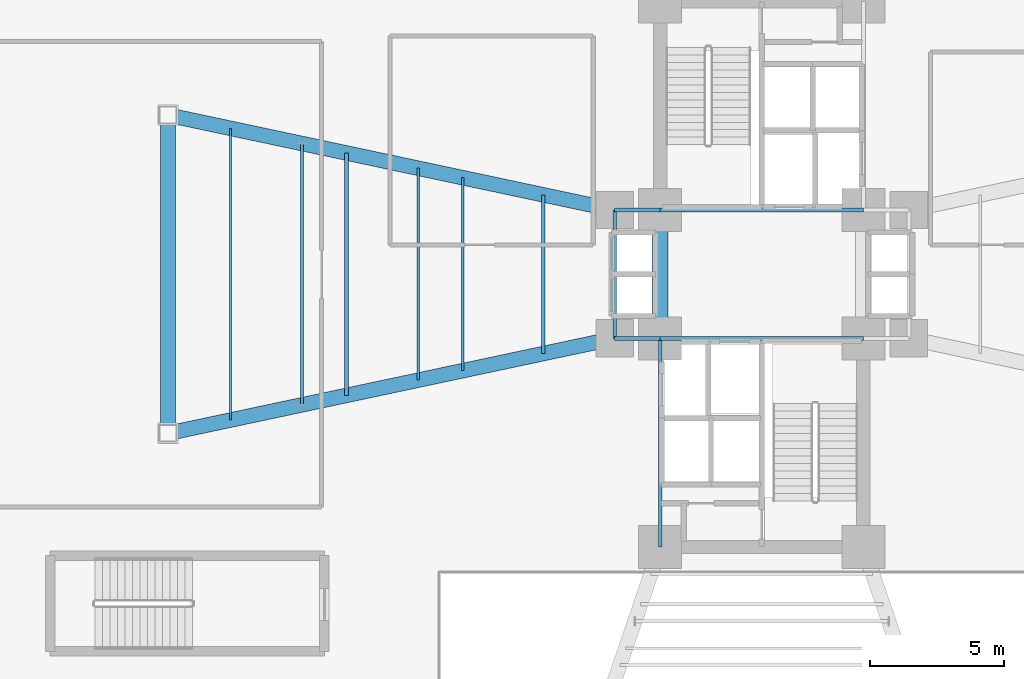
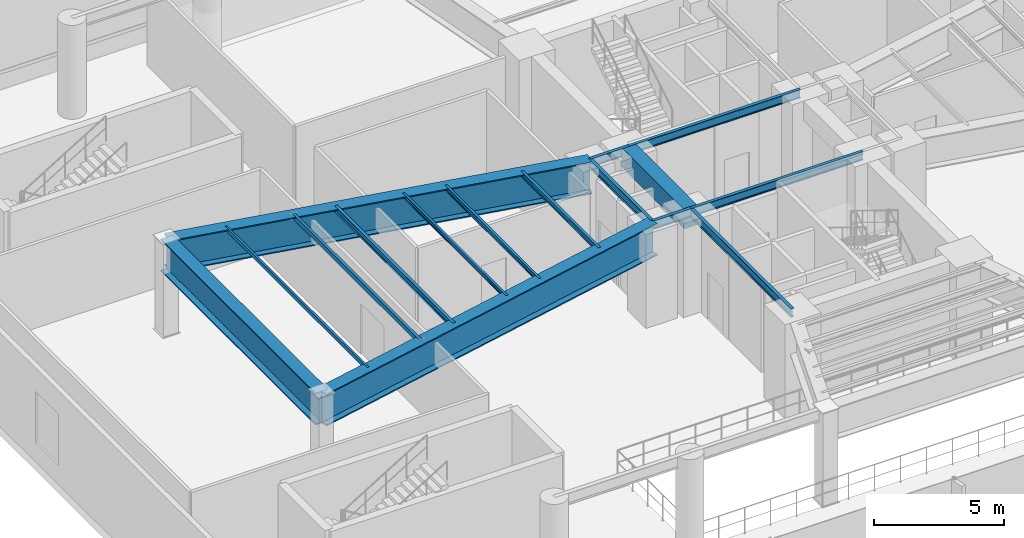
# One storey, part 4 of 22: 16 beams.
"""IFC4 building model written with IfcOpenShell, lengths in metres."""

from ifc_helpers import new_model, si_unit, direction, frame, origin, origin_2d, place, context, subcontext, project, spatial, rectangle, hollow_rectangle, i_section, extrude, source, transform, mapped, material, material_profile, profile_set, type_object, element, save


model = new_model("IFC4")

# Units and contexts
model_context = context("Model", 3, precision=1e-05, world=origin(), true_north=direction((0.0, 1.0)))
body_context = subcontext(model_context, "Body", "Model", "MODEL_VIEW")
ifc_project = project(units=[si_unit("LENGTHUNIT", "METRE"), si_unit("AREAUNIT", "SQUARE_METRE"), si_unit("VOLUMEUNIT", "CUBIC_METRE"), si_unit("PLANEANGLEUNIT", "RADIAN"), si_unit("MASSUNIT", "GRAM", prefix="KILO")], contexts=[model_context])

# Site, building, storey
site_placement = place(None, origin())
site = spatial("IfcSite", under=ifc_project, at=site_placement, CompositionType="ELEMENT")
building_placement = place(site_placement, origin())
building = spatial("IfcBuilding", under=site, at=building_placement, Name="Sahyath Konkavel Grand Hotel", CompositionType="ELEMENT")
storey_placement = place(building_placement, frame((0.0, 0.0, 9.300048828125)))
storey = spatial("IfcBuildingStorey", under=building, at=storey_placement, Name="L02", CompositionType="ELEMENT", Elevation=9.300048828125)

# Beams
ifc_material_1 = material(Name="Concrete C70/85", Category="concrete")
ifc_material_profile_1 = material_profile(ifc_material_1, rectangle(XDim=0.60009765625, YDim=0.89990234375, at=origin_2d()), Name="RC 600x900")
ifc_profile_set_1 = profile_set([ifc_material_profile_1], Name="Concrete C70/85")
beam_type_1 = type_object("IfcBeamType", Name="BM-CB600x900", PredefinedType="LINTEL", material=ifc_profile_set_1)
shared_shape_1 = source(origin(), body_context, "Body", "SweptSolid", [
    extrude(rectangle(XDim=0.60009765625, YDim=0.89990234375, at=origin_2d()), origin(), (0.0, 0.0, 1.0), 4.7998046875),
])
beam_1_placement = place(storey_placement, frame((-3.800048828125, -2.39990234375, 3.949951171875), z_axis=(0.0, 1.0, 0.0), x_axis=(-1.0, 0.0, 0.0)))
element("IfcBeam", 1, at=beam_1_placement, inside=storey, type_object=beam_type_1, Name="L02 Split-Core Coupling Beam West", PredefinedType="LINTEL", context=body_context, shape_type="MappedRepresentation", body=[
    mapped(shared_shape_1, transform((0.0, 0.0, 0.0), scale=1.0)),
])
ifc_material_2 = material(Name="Steel E350", Category="steel")
ifc_material_profile_2 = material_profile(ifc_material_2, i_section(OverallWidth=0.139892578125, OverallDepth=0.39990234375, WebThickness=0.0087890625, FlangeThickness=0.01611328125, FilletRadius=0.013916015625, at=origin_2d()), Name="ISMB 400")
ifc_profile_set_2 = profile_set([ifc_material_profile_2], Name="Steel E350")
beam_type_2 = type_object("IfcBeamType", Name="BM-ISMB400", PredefinedType="BEAM", material=ifc_profile_set_2)
shared_shape_2 = source(origin(), body_context, "Body", "SweptSolid", [
    extrude(i_section(OverallWidth=0.139892578125, OverallDepth=0.39990234375, WebThickness=0.0087890625, FlangeThickness=0.01611328125, FilletRadius=0.013916015625, at=origin_2d()), origin(), (0.0, 0.0, 1.0), 7.60009765625),
])
for number, where, z_axis, x_axis, name in (
    (2, (-3.800048828125, 2.39990234375, 4.199951171875), (1.0, 0.0, 0.0), (0.0, 1.0, 0.0), "str:bm:L02:NC-S"),
    (3, (-3.800048828125, -2.39990234375, 4.199951171875), (1.0, 0.0, 0.0), (0.0, 1.0, 0.0), "str:bm:L02:SC-N"),
):
    element("IfcBeam", number, at=place(storey_placement, frame(where, z_axis=z_axis, x_axis=x_axis)), inside=storey, type_object=beam_type_2, Name=name, PredefinedType="BEAM", context=body_context, shape_type="MappedRepresentation", body=[
        mapped(shared_shape_2, transform((0.0, 0.0, 0.0), scale=1.0)),
    ])
shared_shape_3 = source(origin(), body_context, "Body", "SweptSolid", [
    extrude(i_section(OverallWidth=0.139892578125, OverallDepth=0.39990234375, WebThickness=0.0087890625, FlangeThickness=0.01611328125, FilletRadius=0.013916015625, at=origin_2d()), origin(), (0.0, 0.0, 1.0), 7.800048828125),
])
beam_2_placement = place(storey_placement, frame((-3.800048828125, -10.199951171875, 4.199951171875), z_axis=(0.0, 1.0, 0.0), x_axis=(-1.0, 0.0, 0.0)))
element("IfcBeam", 4, at=beam_2_placement, inside=storey, type_object=beam_type_2, Name="str:bm:L02:SC-W", PredefinedType="BEAM", context=body_context, shape_type="MappedRepresentation", body=[
    mapped(shared_shape_3, transform((0.0, 0.0, 0.0), scale=1.0)),
])
shared_shape_4 = source(origin(), body_context, "Body", "SweptSolid", [
    extrude(i_section(OverallWidth=0.139892578125, OverallDepth=0.39990234375, WebThickness=0.0087890625, FlangeThickness=0.01611328125, FilletRadius=0.013916015625, at=origin_2d()), origin(), (0.0, 0.0, 1.0), 1.699951171875),
])
for number, where, z_axis, x_axis, name in (
    (5, (-5.5, 2.39990234375, 4.199951171875), (1.0, 0.0, 0.0), (0.0, 1.0, 0.0), "str:bm:L02:HB-NW"),
    (6, (-5.5, -2.39990234375, 4.199951171875), (1.0, 0.0, 0.0), (0.0, 1.0, 0.0), "str:bm:L02:HB-SW"),
):
    element("IfcBeam", number, at=place(storey_placement, frame(where, z_axis=z_axis, x_axis=x_axis)), inside=storey, type_object=beam_type_2, Name=name, PredefinedType="BEAM", context=body_context, shape_type="MappedRepresentation", body=[
        mapped(shared_shape_4, transform((0.0, 0.0, 0.0), scale=1.0)),
    ])
shared_shape_5 = source(origin(), body_context, "Body", "SweptSolid", [
    extrude(i_section(OverallWidth=0.139892578125, OverallDepth=0.39990234375, WebThickness=0.0087890625, FlangeThickness=0.01611328125, FilletRadius=0.013916015625, at=origin_2d()), origin(), (0.0, 0.0, 1.0), 4.7998046875),
])
beam_3_placement = place(storey_placement, frame((-5.5, -2.39990234375, 4.199951171875), z_axis=(0.0, 1.0, 0.0), x_axis=(-1.0, 0.0, 0.0)))
element("IfcBeam", 7, at=beam_3_placement, inside=storey, type_object=beam_type_2, Name="str:bm:L02:HB-W", PredefinedType="BEAM", context=body_context, shape_type="MappedRepresentation", body=[
    mapped(shared_shape_5, transform((0.0, 0.0, 0.0), scale=1.0)),
])
ifc_material_3 = material(Name="Steel E450", Category="steel")
ifc_material_profile_3 = material_profile(ifc_material_3, i_section(OverallWidth=0.550048828125, OverallDepth=1.5, WebThickness=0.028076171875, FlangeThickness=0.050048828125, at=origin_2d()), Name="BPG 1500x550")
ifc_profile_set_3 = profile_set([ifc_material_profile_3], Name="Steel E450")
beam_type_3 = type_object("IfcBeamType", Name="BM-BPG1500", PredefinedType="BEAM", material=ifc_profile_set_3)
shared_shape_6 = source(origin(), body_context, "Body", "SweptSolid", [
    extrude(i_section(OverallWidth=0.550048828125, OverallDepth=1.5, WebThickness=0.028076171875, FlangeThickness=0.050048828125, at=origin_2d()), origin(), (0.0, 0.0, 1.0), 17.072998046875),
])
for number, where, z_axis, x_axis, name in (
    (8, (-5.5, 2.39990234375, 3.64990234375), (-0.978143257225, 0.20793212437, 0.0), (-0.20793212437, -0.978143257225, 0.0), "L02 Ballroom E450 Transfer Truss Chord WA"),
    (9, (-5.5, -2.39990234375, 3.64990234375), (-0.978143257225, -0.20793212437, 0.0), (0.20793212437, -0.978143257225, 0.0), "L02 Ballroom E450 Transfer Truss Chord WB"),
):
    element("IfcBeam", number, at=place(storey_placement, frame(where, z_axis=z_axis, x_axis=x_axis)), inside=storey, type_object=beam_type_3, Name=name, PredefinedType="BEAM", context=body_context, shape_type="MappedRepresentation", body=[
        mapped(shared_shape_6, transform((0.0, 0.0, 0.0), scale=1.0)),
    ])
shared_shape_7 = source(origin(), body_context, "Body", "SweptSolid", [
    extrude(i_section(OverallWidth=0.550048828125, OverallDepth=1.5, WebThickness=0.028076171875, FlangeThickness=0.050048828125, at=origin_2d()), origin(), (0.0, 0.0, 1.0), 11.89990234375),
])
beam_4_placement = place(storey_placement, frame((-22.199951171875, 5.949951171875, 3.64990234375), z_axis=(0.0, -1.0, 0.0), x_axis=(1.0, 0.0, 0.0)))
element("IfcBeam", 10, at=beam_4_placement, inside=storey, type_object=beam_type_3, Name="L02 Ballroom E450 Transfer Truss Chord Tie W", PredefinedType="BEAM", context=body_context, shape_type="MappedRepresentation", body=[
    mapped(shared_shape_7, transform((0.0, 0.0, 0.0), scale=1.0)),
])
ifc_material_profile_4 = material_profile(ifc_material_2, i_section(OverallWidth=0.125, OverallDepth=0.25, WebThickness=0.0068359375, FlangeThickness=0.012451171875, FilletRadius=0.012939453125, at=origin_2d()), Name="ISMB 250")
ifc_profile_set_4 = profile_set([ifc_material_profile_4], Name="Steel E350")
beam_type_4 = type_object("IfcBeamType", Name="BM-ISMB250", PredefinedType="BEAM", material=ifc_profile_set_4)
shared_shape_8 = source(origin(), body_context, "Body", "SweptSolid", [
    extrude(i_section(OverallWidth=0.125, OverallDepth=0.25, WebThickness=0.0068359375, FlangeThickness=0.012451171875, FilletRadius=0.012939453125, at=origin_2d()), origin(), (0.0, 0.0, 1.0), 5.93603515625),
])
beam_5_placement = place(storey_placement, frame((-8.172119140625, 2.968017578125, 4.27490234375), z_axis=(0.0, -1.0, 0.0), x_axis=(1.0, 0.0, 0.0)))
element("IfcBeam", 11, at=beam_5_placement, inside=storey, type_object=beam_type_4, Name="L02 Composite Deck Sub-Beam W-1", PredefinedType="BEAM", context=body_context, shape_type="MappedRepresentation", body=[
    mapped(shared_shape_8, transform((0.0, 0.0, 0.0), scale=1.0)),
])
ifc_material_profile_5 = material_profile(ifc_material_2, i_section(OverallWidth=0.110107421875, OverallDepth=0.22509765625, WebThickness=0.006591796875, FlangeThickness=0.01171875, FilletRadius=0.011962890625, at=origin_2d()), Name="ISMB 225")
ifc_profile_set_5 = profile_set([ifc_material_profile_5], Name="Steel E350")
beam_type_5 = type_object("IfcBeamType", Name="BM-ISMB225", PredefinedType="BEAM", material=ifc_profile_set_5)
shared_shape_9 = source(origin(), body_context, "Body", "SweptSolid", [
    extrude(i_section(OverallWidth=0.110107421875, OverallDepth=0.22509765625, WebThickness=0.006591796875, FlangeThickness=0.01171875, FilletRadius=0.011962890625, at=origin_2d()), origin(), (0.0, 0.0, 1.0), 7.2138671875),
])
beam_6_placement = place(storey_placement, frame((-11.177978515625, 3.60693359375, 4.287353515625), z_axis=(0.0, -1.0, 0.0), x_axis=(1.0, 0.0, 0.0)))
element("IfcBeam", 12, at=beam_6_placement, inside=storey, type_object=beam_type_5, Name="L02 Composite Deck Sub-Beam W-2", PredefinedType="BEAM", context=body_context, shape_type="MappedRepresentation", body=[
    mapped(shared_shape_9, transform((0.0, 0.0, 0.0), scale=1.0)),
])
ifc_material_profile_6 = material_profile(ifc_material_2, i_section(OverallWidth=0.10009765625, OverallDepth=0.199951171875, WebThickness=0.005615234375, FlangeThickness=0.0107421875, FilletRadius=0.010986328125, at=origin_2d()), Name="ISMB 200")
ifc_profile_set_6 = profile_set([ifc_material_profile_6], Name="Steel E350")
beam_type_6 = type_object("IfcBeamType", Name="BM-ISMB200", PredefinedType="BEAM", material=ifc_profile_set_6)
shared_shape_10 = source(origin(), body_context, "Body", "SweptSolid", [
    extrude(i_section(OverallWidth=0.10009765625, OverallDepth=0.199951171875, WebThickness=0.005615234375, FlangeThickness=0.0107421875, FilletRadius=0.010986328125, at=origin_2d()), origin(), (0.0, 0.0, 1.0), 7.923828125),
])
beam_7_placement = place(storey_placement, frame((-12.847900390625, 3.9619140625, 4.300048828125), z_axis=(0.0, -1.0, 0.0), x_axis=(1.0, 0.0, 0.0)))
element("IfcBeam", 13, at=beam_7_placement, inside=storey, type_object=beam_type_6, Name="L02 Composite Deck Sub-Beam W-3", PredefinedType="BEAM", context=body_context, shape_type="MappedRepresentation", body=[
    mapped(shared_shape_10, transform((0.0, 0.0, 0.0), scale=1.0)),
])
ifc_material_profile_7 = material_profile(ifc_material_2, i_section(OverallWidth=0.139892578125, OverallDepth=0.27490234375, WebThickness=0.00634765625, FlangeThickness=0.0087890625, FilletRadius=0.012939453125, at=origin_2d()), Name="ISLB 275")
ifc_profile_set_7 = profile_set([ifc_material_profile_7], Name="Steel E350")
beam_type_7 = type_object("IfcBeamType", Name="BM-ISLB275", PredefinedType="BEAM", material=ifc_profile_set_7)
shared_shape_11 = source(origin(), body_context, "Body", "SweptSolid", [
    extrude(i_section(OverallWidth=0.139892578125, OverallDepth=0.27490234375, WebThickness=0.00634765625, FlangeThickness=0.0087890625, FilletRadius=0.012939453125, at=origin_2d()), origin(), (0.0, 0.0, 1.0), 9.06005859375),
])
beam_8_placement = place(storey_placement, frame((-15.52001953125, 4.530029296875, 4.262451171875), z_axis=(0.0, -1.0, 0.0), x_axis=(1.0, 0.0, 0.0)))
element("IfcBeam", 14, at=beam_8_placement, inside=storey, type_object=beam_type_7, Name="L02 Composite Deck Sub-Beam W-4", PredefinedType="BEAM", context=body_context, shape_type="MappedRepresentation", body=[
    mapped(shared_shape_11, transform((0.0, 0.0, 0.0), scale=1.0)),
])
ifc_material_profile_8 = material_profile(ifc_material_2, hollow_rectangle(XDim=0.1201171875, YDim=0.219970703125, WallThickness=0.010009765625, at=origin_2d()), Name="RHS 220x120x10")
ifc_profile_set_8 = profile_set([ifc_material_profile_8], Name="Steel E350")
beam_type_8 = type_object("IfcBeamType", Name="BM-RHS220", PredefinedType="BEAM", material=ifc_profile_set_8)
shared_shape_12 = source(origin(), body_context, "Body", "SweptSolid", [
    extrude(hollow_rectangle(XDim=0.1201171875, YDim=0.219970703125, WallThickness=0.010009765625, at=origin_2d()), origin(), (0.0, 0.0, 1.0), 9.77001953125),
])
beam_9_placement = place(storey_placement, frame((-17.18994140625, 4.885009765625, 4.2900390625), z_axis=(0.0, -1.0, 0.0), x_axis=(1.0, 0.0, 0.0)))
element("IfcBeam", 15, at=beam_9_placement, inside=storey, type_object=beam_type_8, Name="L02 Composite Deck Sub-Beam W-5", PredefinedType="BEAM", context=body_context, shape_type="MappedRepresentation", body=[
    mapped(shared_shape_12, transform((0.0, 0.0, 0.0), scale=1.0)),
])
ifc_material_profile_9 = material_profile(ifc_material_2, hollow_rectangle(XDim=0.090087890625, YDim=0.179931640625, WallThickness=0.008056640625, at=origin_2d()), Name="RHS 180x90x8")
ifc_profile_set_9 = profile_set([ifc_material_profile_9], Name="Steel E350")
beam_type_9 = type_object("IfcBeamType", Name="BM-RHS180", PredefinedType="BEAM", material=ifc_profile_set_9)
shared_shape_13 = source(origin(), body_context, "Body", "SweptSolid", [
    extrude(hollow_rectangle(XDim=0.090087890625, YDim=0.179931640625, WallThickness=0.008056640625, at=origin_2d()), origin(), (0.0, 0.0, 1.0), 10.90576171875),
])
beam_10_placement = place(storey_placement, frame((-19.862060546875, 5.452880859375, 4.31005859375), z_axis=(0.0, -1.0, 0.0), x_axis=(1.0, 0.0, 0.0)))
element("IfcBeam", 16, at=beam_10_placement, inside=storey, type_object=beam_type_9, Name="L02 Composite Deck Sub-Beam W-6", PredefinedType="BEAM", context=body_context, shape_type="MappedRepresentation", body=[
    mapped(shared_shape_13, transform((0.0, 0.0, 0.0), scale=1.0)),
])

save(model, "model.ifc")
